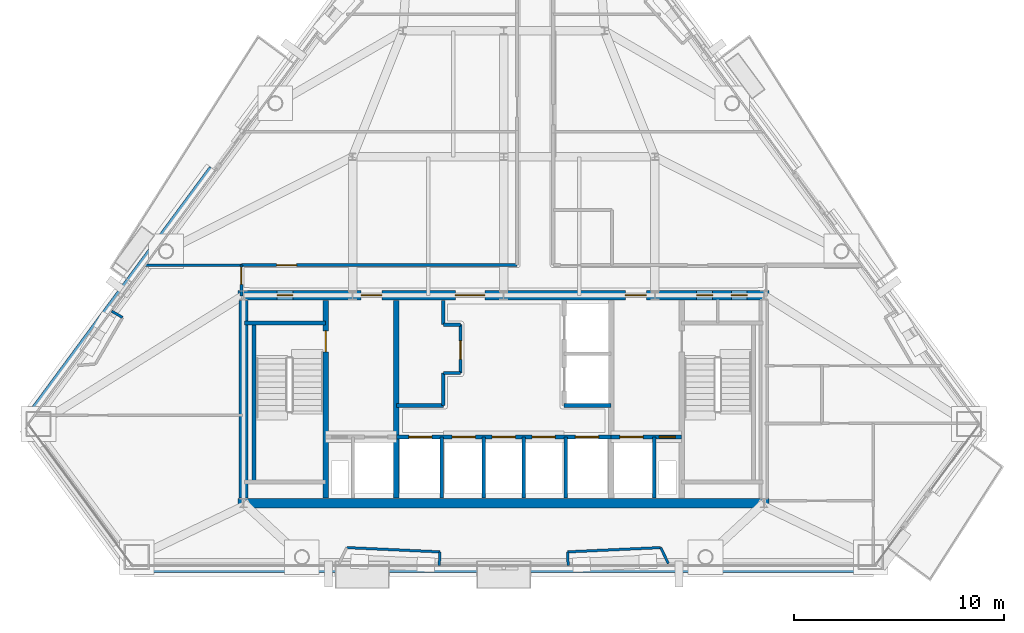
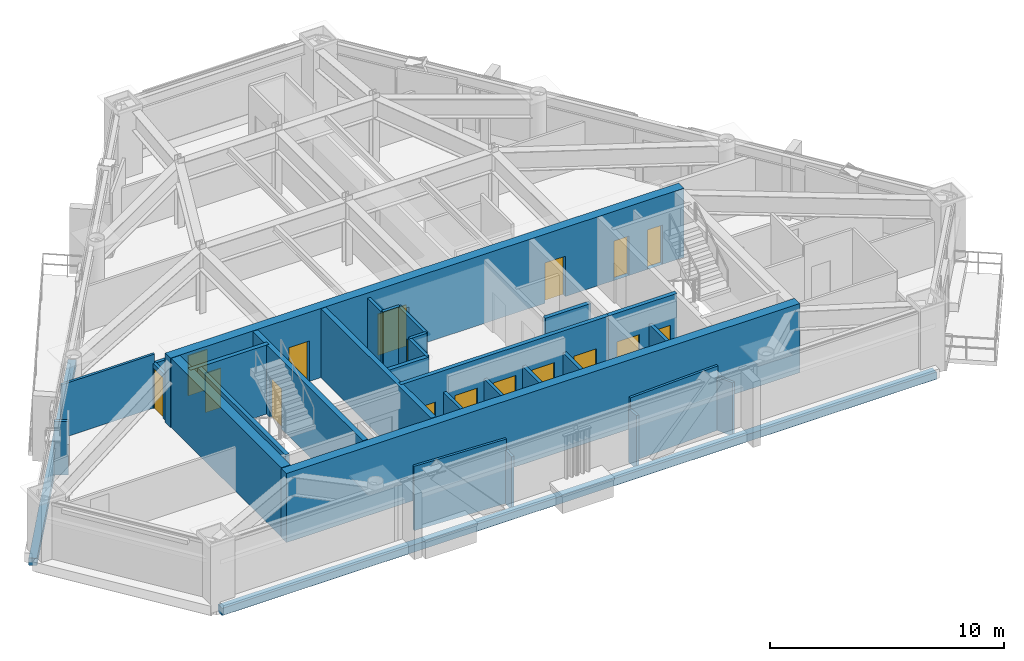
# One storey, part 7 of 11: 32 walls, 17 doors, 17 openings.
"""IFC4 building model written with IfcOpenShell, lengths in metres."""

from ifc_helpers import new_model, si_unit, direction, frame, frame_2d, origin, place, context, subcontext, project, spatial, rectangle, extrude, material, layer, layer_set, type_object, element, fill, save


model = new_model("IFC4")

# Units and contexts
model_context = context("Model", 3, precision=1e-05, world=origin(), true_north=direction((0.0, 1.0)))
body_context = subcontext(model_context, "Body", "Model", "MODEL_VIEW")
ifc_project = project(units=[si_unit("LENGTHUNIT", "METRE"), si_unit("AREAUNIT", "SQUARE_METRE"), si_unit("VOLUMEUNIT", "CUBIC_METRE"), si_unit("PLANEANGLEUNIT", "RADIAN"), si_unit("MASSUNIT", "GRAM", prefix="KILO")], contexts=[model_context])

# Site, building, storey
site_placement = place(None, origin())
site = spatial("IfcSite", under=ifc_project, at=site_placement, CompositionType="ELEMENT")
building_placement = place(site_placement, origin())
building = spatial("IfcBuilding", under=site, at=building_placement, Name="Talgorran Terracotta Tower", CompositionType="ELEMENT")
storey_placement = place(building_placement, frame((0.0, 0.0, 154.5)))
storey = spatial("IfcBuildingStorey", under=building, at=storey_placement, Name="L40", CompositionType="ELEMENT", Elevation=154.5)

# Walls
ifc_material_1 = material(Name="Concrete C50/60", Category="concrete")
ifc_layer_1 = layer(ifc_material_1, 0.199951171875, Name="WT_CORE_200")
ifc_layer_set_1 = layer_set([ifc_layer_1], Name="Concrete C50/60")
wall_type_1 = type_object("IfcWallType", Name="WT_CORE_200", PredefinedType="SOLIDWALL", material=ifc_layer_set_1)
wall_1_placement = place(storey_placement, frame((-12.35009765625, -5.52001953125, 0.0), z_axis=(0.0, 0.0, 1.0), x_axis=(1.0, 0.0, 0.0)))
element("IfcWall", 1, at=wall_1_placement, inside=storey, type_object=wall_type_1, Name="WL-L40-CW-ST1-N", PredefinedType="SOLIDWALL", context=body_context, shape_type="SweptSolid", body=[
    extrude(rectangle(XDim=3.8701171875, YDim=0.199951171875, at=frame_2d((1.93505859375, 0.0))), origin(), (0.0, 0.0, 1.0), 3.60009765625),
])
wall_2_placement = place(storey_placement, frame((-11.89990234375, -13.10009765625, 0.0), z_axis=(0.0, 0.0, 1.0), x_axis=(0.0, 1.0, 0.0)))
element("IfcWall", 2, at=wall_2_placement, inside=storey, type_object=wall_type_1, Name="WL-L40-CW-ST1-W", PredefinedType="SOLIDWALL", context=body_context, shape_type="SweptSolid", body=[
    extrude(rectangle(XDim=7.580078125, YDim=0.199951171875, at=frame_2d((3.7900390625, 0.0))), origin(), (0.0, 0.0, 1.0), 3.60009765625),
])

# Wall, openings, doors
wall_3_placement = place(storey_placement, frame((-5.1201171875, -10.949951171875, 0.0), z_axis=(0.0, 0.0, 1.0), x_axis=(1.0, 0.0, 0.0)))
wall_3 = element("IfcWall", 3, at=wall_3_placement, inside=storey, type_object=wall_type_1, Name="WL-L40-CW-H-SBC", PredefinedType="SOLIDWALL", context=body_context, shape_type="SweptSolid", body=[
    extrude(rectangle(XDim=10.240234375, YDim=0.199951171875, at=frame_2d((5.1201171875, 0.0))), origin(), (0.0, 0.0, 1.0), 3.60009765625),
])
opening_1_placement = place(wall_3_placement, frame((0.60009765625, 0.0, 0.0)))
opening_1 = element("IfcOpeningElement", 4, at=opening_1_placement, cuts=wall_3, Name="Opening LD-OB1", PredefinedType="OPENING", context=body_context, shape_type="SweptSolid", body=[
    extrude(rectangle(XDim=1.10609765625, YDim=2.10409765625, at=frame_2d((0.550048828125, 1.052001953125))), frame((0.0, 0.10986328125, 0.0), z_axis=(0.0, -1.0, 0.0), x_axis=(1.0, 0.0, 0.0)), (0.0, 0.0, 1.0), 0.219970703125),
])
opening_2_placement = place(wall_3_placement, frame((2.669921875, 0.0, 0.0)))
opening_2 = element("IfcOpeningElement", 5, at=opening_2_placement, cuts=wall_3, Name="Opening LD-PLH1", PredefinedType="OPENING", context=body_context, shape_type="SweptSolid", body=[
    extrude(rectangle(XDim=1.10609765625, YDim=2.10409765625, at=frame_2d((0.550048828125, 1.052001953125))), frame((0.0, 0.10986328125, 0.0), z_axis=(0.0, -1.0, 0.0), x_axis=(1.0, 0.0, 0.0)), (0.0, 0.0, 1.0), 0.219970703125),
])
opening_3_placement = place(wall_3_placement, frame((4.570068359375, 0.0, 0.0)))
opening_3 = element("IfcOpeningElement", 6, at=opening_3_placement, cuts=wall_3, Name="Opening LD-PLH2", PredefinedType="OPENING", context=body_context, shape_type="SweptSolid", body=[
    extrude(rectangle(XDim=1.10609765625, YDim=2.10409765625, at=frame_2d((0.550048828125, 1.052001953125))), frame((0.0, 0.10986328125, 0.0), z_axis=(0.0, -1.0, 0.0), x_axis=(1.0, 0.0, 0.0)), (0.0, 0.0, 1.0), 0.219970703125),
])
opening_4_placement = place(wall_3_placement, frame((6.469970703125, 0.0, 0.0)))
opening_4 = element("IfcOpeningElement", 7, at=opening_4_placement, cuts=wall_3, Name="Opening LD-PLH3", PredefinedType="OPENING", context=body_context, shape_type="SweptSolid", body=[
    extrude(rectangle(XDim=1.10609765625, YDim=2.10409765625, at=frame_2d((0.550048828125, 1.052001953125))), frame((0.0, 0.10986328125, 0.0), z_axis=(0.0, -1.0, 0.0), x_axis=(1.0, 0.0, 0.0)), (0.0, 0.0, 1.0), 0.219970703125),
])
opening_5_placement = place(wall_3_placement, frame((8.5400390625, 0.0, 0.0)))
opening_5 = element("IfcOpeningElement", 8, at=opening_5_placement, cuts=wall_3, Name="Opening LD-SVL1", PredefinedType="OPENING", context=body_context, shape_type="SweptSolid", body=[
    extrude(rectangle(XDim=1.10609765625, YDim=2.10409765625, at=frame_2d((0.550048828125, 1.052001953125))), frame((0.0, 0.10986328125, 0.0), z_axis=(0.0, -1.0, 0.0), x_axis=(1.0, 0.0, 0.0)), (0.0, 0.0, 1.0), 0.219970703125),
])
ifc_material_2 = material(Name="Brushed Stainless Steel Grade 304", Category="steel")
door_type_1 = type_object("IfcDoorType", Name="DT_LIFT_LD1100", OperationType="DOUBLE_DOOR_SLIDING", PredefinedType="DOOR", material=ifc_material_2)
door_1_placement = place(opening_1_placement, origin())
door_1 = element("IfcDoor", 9, at=door_1_placement, inside=storey, type_object=door_type_1, Name="L40 Lift Landing Door LD-OB1", OperationType="DOUBLE_DOOR_SLIDING", OverallHeight=2.10009765625, OverallWidth=1.10009765625, PredefinedType="DOOR", context=body_context, shape_type="SweptSolid", body=[
    extrude(rectangle(XDim=1.10009765625, YDim=2.10009765625, at=frame_2d((0.550048828125, 1.050048828125))), frame((0.0, 0.02490234375, 0.0), z_axis=(0.0, -1.0, 0.0), x_axis=(1.0, 0.0, 0.0)), (0.0, 0.0, 1.0), 0.050048828125),
])
fill(opening_1, door_1)
door_2_placement = place(opening_2_placement, origin())
door_2 = element("IfcDoor", 10, at=door_2_placement, inside=storey, type_object=door_type_1, Name="L40 Lift Landing Door LD-PLH1", OperationType="DOUBLE_DOOR_SLIDING", OverallHeight=2.10009765625, OverallWidth=1.10009765625, PredefinedType="DOOR", context=body_context, shape_type="SweptSolid", body=[
    extrude(rectangle(XDim=1.10009765625, YDim=2.10009765625, at=frame_2d((0.550048828125, 1.050048828125))), frame((0.0, 0.02490234375, 0.0), z_axis=(0.0, -1.0, 0.0), x_axis=(1.0, 0.0, 0.0)), (0.0, 0.0, 1.0), 0.050048828125),
])
fill(opening_2, door_2)
door_3_placement = place(opening_3_placement, origin())
door_3 = element("IfcDoor", 11, at=door_3_placement, inside=storey, type_object=door_type_1, Name="L40 Lift Landing Door LD-PLH2", OperationType="DOUBLE_DOOR_SLIDING", OverallHeight=2.10009765625, OverallWidth=1.10009765625, PredefinedType="DOOR", context=body_context, shape_type="SweptSolid", body=[
    extrude(rectangle(XDim=1.10009765625, YDim=2.10009765625, at=frame_2d((0.550048828125, 1.050048828125))), frame((0.0, 0.02490234375, 0.0), z_axis=(0.0, -1.0, 0.0), x_axis=(1.0, 0.0, 0.0)), (0.0, 0.0, 1.0), 0.050048828125),
])
fill(opening_3, door_3)
door_4_placement = place(opening_4_placement, origin())
door_4 = element("IfcDoor", 12, at=door_4_placement, inside=storey, type_object=door_type_1, Name="L40 Lift Landing Door LD-PLH3", OperationType="DOUBLE_DOOR_SLIDING", OverallHeight=2.10009765625, OverallWidth=1.10009765625, PredefinedType="DOOR", context=body_context, shape_type="SweptSolid", body=[
    extrude(rectangle(XDim=1.10009765625, YDim=2.10009765625, at=frame_2d((0.550048828125, 1.050048828125))), frame((0.0, 0.02490234375, 0.0), z_axis=(0.0, -1.0, 0.0), x_axis=(1.0, 0.0, 0.0)), (0.0, 0.0, 1.0), 0.050048828125),
])
fill(opening_4, door_4)
door_5_placement = place(opening_5_placement, origin())
door_5 = element("IfcDoor", 13, at=door_5_placement, inside=storey, type_object=door_type_1, Name="L40 Lift Landing Door LD-SVL1", OperationType="DOUBLE_DOOR_SLIDING", OverallHeight=2.10009765625, OverallWidth=1.10009765625, PredefinedType="DOOR", context=body_context, shape_type="SweptSolid", body=[
    extrude(rectangle(XDim=1.10009765625, YDim=2.10009765625, at=frame_2d((0.550048828125, 1.050048828125))), frame((0.0, 0.02490234375, 0.0), z_axis=(0.0, -1.0, 0.0), x_axis=(1.0, 0.0, 0.0)), (0.0, 0.0, 1.0), 0.050048828125),
])
fill(opening_5, door_5)

wall_4_placement = place(storey_placement, frame((5.1201171875, -10.949951171875, 0.0), z_axis=(0.0, 0.0, 1.0), x_axis=(1.0, 0.0, 0.0)))
wall_4 = element("IfcWall", 14, at=wall_4_placement, inside=storey, type_object=wall_type_1, Name="WL-L40-CW-H-SBE", PredefinedType="SOLIDWALL", context=body_context, shape_type="SweptSolid", body=[
    extrude(rectangle(XDim=3.35986328125, YDim=0.199951171875, at=frame_2d((1.679931640625, 0.0))), origin(), (0.0, 0.0, 1.0), 3.60009765625),
])
opening_6_placement = place(wall_4_placement, frame((0.419921875, 0.0, 0.0)))
opening_6 = element("IfcOpeningElement", 15, at=opening_6_placement, cuts=wall_4, Name="Opening LD-FFL2", PredefinedType="OPENING", context=body_context, shape_type="SweptSolid", body=[
    extrude(rectangle(XDim=1.10609765625, YDim=2.10409765625, at=frame_2d((0.550048828125, 1.052001953125))), frame((0.0, 0.10986328125, 0.0), z_axis=(0.0, -1.0, 0.0), x_axis=(1.0, 0.0, 0.0)), (0.0, 0.0, 1.0), 0.219970703125),
])
opening_7_placement = place(wall_4_placement, frame((2.300048828125, 0.0, 0.0)))
opening_7 = element("IfcOpeningElement", 16, at=opening_7_placement, cuts=wall_4, Name="Opening DR-RSE", PredefinedType="OPENING", context=body_context, shape_type="SweptSolid", body=[
    extrude(rectangle(XDim=0.756, YDim=2.054048828125, at=frame_2d((0.375, 1.027099609375))), frame((0.0, 0.10986328125, 0.0), z_axis=(0.0, -1.0, 0.0), x_axis=(1.0, 0.0, 0.0)), (0.0, 0.0, 1.0), 0.219970703125),
])
door_6_placement = place(opening_6_placement, origin())
door_6 = element("IfcDoor", 17, at=door_6_placement, inside=storey, type_object=door_type_1, Name="L40 Lift Landing Door LD-FFL2", OperationType="DOUBLE_DOOR_SLIDING", OverallHeight=2.10009765625, OverallWidth=1.10009765625, PredefinedType="DOOR", context=body_context, shape_type="SweptSolid", body=[
    extrude(rectangle(XDim=1.10009765625, YDim=2.10009765625, at=frame_2d((0.550048828125, 1.050048828125))), frame((0.0, 0.02490234375, 0.0), z_axis=(0.0, -1.0, 0.0), x_axis=(1.0, 0.0, 0.0)), (0.0, 0.0, 1.0), 0.050048828125),
])
fill(opening_6, door_6)
ifc_material_3 = material(Name="Fire-Rated Pressed Steel", Category="steel")
door_type_2 = type_object("IfcDoorType", Name="DT_RISER_750", OperationType="NOTDEFINED", PredefinedType="DOOR", material=ifc_material_3)
door_7_placement = place(opening_7_placement, origin())
door_7 = element("IfcDoor", 18, at=door_7_placement, inside=storey, type_object=door_type_2, Name="DR-RSE", OperationType="SINGLE_SWING_RIGHT", OverallHeight=2.050048828125, OverallWidth=0.75, PredefinedType="DOOR", context=body_context, shape_type="SweptSolid", body=[
    extrude(rectangle(XDim=0.75, YDim=2.050048828125, at=frame_2d((0.375, 1.02490234375))), frame((0.0, 0.02490234375, 0.0), z_axis=(0.0, -1.0, 0.0), x_axis=(1.0, 0.0, 0.0)), (0.0, 0.0, 1.0), 0.050048828125),
])
fill(opening_7, door_7)

# Walls
for number, where, z_axis, x_axis, name in (
    (19, (-5.1201171875, -9.449951171875, 0.0), (0.0, 0.0, 1.0), (1.0, 0.0, 0.0), "WL-L40-CW-H-W4"),
    (20, (2.8798828125, -9.449951171875, 0.0), (0.0, 0.0, 1.0), (1.0, 0.0, 0.0), "WL-L40-CW-H-E4"),
):
    element("IfcWall", number, at=place(storey_placement, frame(where, z_axis=z_axis, x_axis=x_axis)), inside=storey, type_object=wall_type_1, Name=name, PredefinedType="SOLIDWALL", context=body_context, shape_type="SweptSolid", body=[
        extrude(rectangle(XDim=2.240234375, YDim=0.199951171875, at=frame_2d((1.1201171875, 0.0))), origin(), (0.0, 0.0, 1.0), 3.35009765625),
    ])

# Wall, opening, door
ifc_layer_2 = layer(ifc_material_1, 0.25, Name="WT_CORE_250")
ifc_layer_set_2 = layer_set([ifc_layer_2], Name="Concrete C50/60")
wall_type_2 = type_object("IfcWallType", Name="WT_CORE_250", PredefinedType="SHEAR", material=ifc_layer_set_2)
wall_5_placement = place(storey_placement, frame((-8.47998046875, -13.85009765625, 0.0), z_axis=(0.0, 0.0, 1.0), x_axis=(0.0, 1.0, 0.0)))
wall_5 = element("IfcWall", 21, at=wall_5_placement, inside=storey, type_object=wall_type_2, Name="WL-L40-CW-V-W1", PredefinedType="SHEAR", context=body_context, shape_type="SweptSolid", body=[
    extrude(rectangle(XDim=9.400146484375, YDim=0.25, at=frame_2d((4.7001953125, 0.0))), origin(), (0.0, 0.0, 1.0), 3.60009765625),
])
opening_8_placement = place(wall_5_placement, frame((6.949951171875, 0.0, 0.0)))
opening_8 = element("IfcOpeningElement", 22, at=opening_8_placement, cuts=wall_5, Name="Opening DR-ST01", PredefinedType="OPENING", context=body_context, shape_type="SweptSolid", body=[
    extrude(rectangle(XDim=1.006, YDim=2.10409765625, at=frame_2d((0.5, 1.052001953125))), frame((0.0, 0.135009765625, 0.0), z_axis=(0.0, -1.0, 0.0), x_axis=(1.0, 0.0, 0.0)), (0.0, 0.0, 1.0), 0.27001953125),
])
door_type_3 = type_object("IfcDoorType", Name="DT_FIRE_1000", OperationType="NOTDEFINED", PredefinedType="DOOR", material=ifc_material_3)
door_8_placement = place(opening_8_placement, origin())
door_8 = element("IfcDoor", 23, at=door_8_placement, inside=storey, type_object=door_type_3, Name="DR-ST01", OperationType="SINGLE_SWING_LEFT", OverallHeight=2.10009765625, OverallWidth=1.0, PredefinedType="DOOR", context=body_context, shape_type="SweptSolid", body=[
    extrude(rectangle(XDim=1.0, YDim=2.10009765625, at=frame_2d((0.5, 1.050048828125))), frame((0.0, 0.02490234375, 0.0), z_axis=(0.0, -1.0, 0.0), x_axis=(1.0, 0.0, 0.0)), (0.0, 0.0, 1.0), 0.050048828125),
])
fill(opening_8, door_8)

# Walls
wall_6_placement = place(storey_placement, frame((-5.1201171875, -13.85009765625, 0.0), z_axis=(0.0, 0.0, 1.0), x_axis=(0.0, 1.0, 0.0)))
element("IfcWall", 24, at=wall_6_placement, inside=storey, type_object=wall_type_2, Name="WL-L40-CW-V-W2", PredefinedType="SHEAR", context=body_context, shape_type="SweptSolid", body=[
    extrude(rectangle(XDim=9.400146484375, YDim=0.25, at=frame_2d((4.7001953125, 0.0))), origin(), (0.0, 0.0, 1.0), 3.60009765625),
])
ifc_material_4 = material(Name="Concrete C65/80", Category="concrete")
ifc_layer_3 = layer(ifc_material_4, 0.449951171875, Name="WT_CORE_EXT")
ifc_layer_set_3 = layer_set([ifc_layer_3], Name="Concrete C65/80")
wall_type_3 = type_object("IfcWallType", Name="WT_CORE_EXT", PredefinedType="SHEAR", material=ifc_layer_set_3)
wall_7_placement = place(storey_placement, frame((-12.64990234375, -14.10009765625, 0.0), z_axis=(0.0, 0.0, 1.0), x_axis=(1.0, 0.0, 0.0)))
element("IfcWall", 25, at=wall_7_placement, inside=storey, type_object=wall_type_3, Name="WL-L40-CW-OUT-S", PredefinedType="SHEAR", context=body_context, shape_type="SweptSolid", body=[
    extrude(rectangle(XDim=25.2998046875, YDim=0.449951171875, at=frame_2d((12.64990234375, 0.0))), origin(), (0.0, 0.0, 1.0), 3.60009765625),
])

# Wall, openings, doors
wall_8_placement = place(storey_placement, frame((-12.64990234375, -4.199951171875, 0.0), z_axis=(0.0, 0.0, 1.0), x_axis=(1.0, 0.0, 0.0)))
wall_8 = element("IfcWall", 26, at=wall_8_placement, inside=storey, type_object=wall_type_3, Name="WL-L40-CW-OUT-N", PredefinedType="SHEAR", context=body_context, shape_type="SweptSolid", body=[
    extrude(rectangle(XDim=25.2998046875, YDim=0.449951171875, at=frame_2d((12.64990234375, 0.0))), origin(), (0.0, 0.0, 1.0), 3.60009765625),
])
opening_9_placement = place(wall_8_placement, frame((1.85009765625, 0.0, 0.0)))
opening_9 = element("IfcOpeningElement", 27, at=opening_9_placement, cuts=wall_8, Name="Opening DR-CSN1", PredefinedType="OPENING", context=body_context, shape_type="SweptSolid", body=[
    extrude(rectangle(XDim=0.756, YDim=2.054048828125, at=frame_2d((0.375, 1.027099609375))), frame((0.0, 0.23486328125, 0.0), z_axis=(0.0, -1.0, 0.0), x_axis=(1.0, 0.0, 0.0)), (0.0, 0.0, 1.0), 0.469970703125),
])
opening_10_placement = place(wall_8_placement, frame((21.85009765625, 0.0, 0.0)))
opening_10 = element("IfcOpeningElement", 28, at=opening_10_placement, cuts=wall_8, Name="Opening DR-CSN2", PredefinedType="OPENING", context=body_context, shape_type="SweptSolid", body=[
    extrude(rectangle(XDim=0.756, YDim=2.054048828125, at=frame_2d((0.375, 1.027099609375))), frame((0.0, 0.23486328125, 0.0), z_axis=(0.0, -1.0, 0.0), x_axis=(1.0, 0.0, 0.0)), (0.0, 0.0, 1.0), 0.469970703125),
])
opening_11_placement = place(wall_8_placement, frame((23.5, 0.0, 0.0)))
opening_11 = element("IfcOpeningElement", 29, at=opening_11_placement, cuts=wall_8, Name="Opening DR-CSN3", PredefinedType="OPENING", context=body_context, shape_type="SweptSolid", body=[
    extrude(rectangle(XDim=0.756, YDim=2.054048828125, at=frame_2d((0.375, 1.027099609375))), frame((0.0, 0.23486328125, 0.0), z_axis=(0.0, -1.0, 0.0), x_axis=(1.0, 0.0, 0.0)), (0.0, 0.0, 1.0), 0.469970703125),
])
opening_12_placement = place(wall_8_placement, frame((5.85009765625, 0.0, 0.0)))
opening_12 = element("IfcOpeningElement", 30, at=opening_12_placement, cuts=wall_8, Name="Opening DR-FFLW-N", PredefinedType="OPENING", context=body_context, shape_type="SweptSolid", body=[
    extrude(rectangle(XDim=1.006, YDim=2.10409765625, at=frame_2d((0.5, 1.052001953125))), frame((0.0, 0.23486328125, 0.0), z_axis=(0.0, -1.0, 0.0), x_axis=(1.0, 0.0, 0.0)), (0.0, 0.0, 1.0), 0.469970703125),
])
opening_13_placement = place(wall_8_placement, frame((10.35009765625, 0.0, 0.0)))
opening_13 = element("IfcOpeningElement", 31, at=opening_13_placement, cuts=wall_8, Name="Opening DR-PLL-N", PredefinedType="OPENING", context=body_context, shape_type="SweptSolid", body=[
    extrude(rectangle(XDim=1.40590234375, YDim=2.15390234375, at=frame_2d((0.699951171875, 1.076904296875))), frame((0.0, 0.23486328125, 0.0), z_axis=(0.0, -1.0, 0.0), x_axis=(1.0, 0.0, 0.0)), (0.0, 0.0, 1.0), 0.469970703125),
])
opening_14_placement = place(wall_8_placement, frame((18.449951171875, 0.0, 0.0)))
opening_14 = element("IfcOpeningElement", 32, at=opening_14_placement, cuts=wall_8, Name="Opening DR-FFLE-N", PredefinedType="OPENING", context=body_context, shape_type="SweptSolid", body=[
    extrude(rectangle(XDim=1.006, YDim=2.10409765625, at=frame_2d((0.5, 1.052001953125))), frame((0.0, 0.23486328125, 0.0), z_axis=(0.0, -1.0, 0.0), x_axis=(1.0, 0.0, 0.0)), (0.0, 0.0, 1.0), 0.469970703125),
])
ifc_material_5 = material(Name="Acoustic Glazed Timber", Category="wood")
door_type_4 = type_object("IfcDoorType", Name="DT_DOUBLE_1400", OperationType="DOUBLE_DOOR_SINGLE_SWING", PredefinedType="DOOR", material=ifc_material_5)
door_9_placement = place(opening_13_placement, origin())
door_9 = element("IfcDoor", 33, at=door_9_placement, inside=storey, type_object=door_type_4, Name="DR-PLL-N", OperationType="DOUBLE_DOOR_SINGLE_SWING", OverallHeight=2.14990234375, OverallWidth=1.39990234375, PredefinedType="DOOR", context=body_context, shape_type="SweptSolid", body=[
    extrude(rectangle(XDim=1.39990234375, YDim=2.14990234375, at=frame_2d((0.699951171875, 1.074951171875))), frame((0.0, 0.02490234375, 0.0), z_axis=(0.0, -1.0, 0.0), x_axis=(1.0, 0.0, 0.0)), (0.0, 0.0, 1.0), 0.050048828125),
])
fill(opening_13, door_9)
door_10_placement = place(opening_12_placement, origin())
door_10 = element("IfcDoor", 34, at=door_10_placement, inside=storey, type_object=door_type_3, Name="DR-FFLW-N", OperationType="SINGLE_SWING_LEFT", OverallHeight=2.10009765625, OverallWidth=1.0, PredefinedType="DOOR", context=body_context, shape_type="SweptSolid", body=[
    extrude(rectangle(XDim=1.0, YDim=2.10009765625, at=frame_2d((0.5, 1.050048828125))), frame((0.0, 0.02490234375, 0.0), z_axis=(0.0, -1.0, 0.0), x_axis=(1.0, 0.0, 0.0)), (0.0, 0.0, 1.0), 0.050048828125),
])
fill(opening_12, door_10)
door_11_placement = place(opening_14_placement, origin())
door_11 = element("IfcDoor", 35, at=door_11_placement, inside=storey, type_object=door_type_3, Name="DR-FFLE-N", OperationType="SINGLE_SWING_RIGHT", OverallHeight=2.10009765625, OverallWidth=1.0, PredefinedType="DOOR", context=body_context, shape_type="SweptSolid", body=[
    extrude(rectangle(XDim=1.0, YDim=2.10009765625, at=frame_2d((0.5, 1.050048828125))), frame((0.0, 0.02490234375, 0.0), z_axis=(0.0, -1.0, 0.0), x_axis=(1.0, 0.0, 0.0)), (0.0, 0.0, 1.0), 0.050048828125),
])
fill(opening_14, door_11)
door_12_placement = place(opening_9_placement, origin())
door_12 = element("IfcDoor", 36, at=door_12_placement, inside=storey, type_object=door_type_2, Name="DR-CSN1", OperationType="SINGLE_SWING_LEFT", OverallHeight=2.050048828125, OverallWidth=0.75, PredefinedType="DOOR", context=body_context, shape_type="SweptSolid", body=[
    extrude(rectangle(XDim=0.75, YDim=2.050048828125, at=frame_2d((0.375, 1.02490234375))), frame((0.0, 0.02490234375, 0.0), z_axis=(0.0, -1.0, 0.0), x_axis=(1.0, 0.0, 0.0)), (0.0, 0.0, 1.0), 0.050048828125),
])
fill(opening_9, door_12)
door_13_placement = place(opening_10_placement, origin())
door_13 = element("IfcDoor", 37, at=door_13_placement, inside=storey, type_object=door_type_2, Name="DR-CSN2", OperationType="SINGLE_SWING_LEFT", OverallHeight=2.050048828125, OverallWidth=0.75, PredefinedType="DOOR", context=body_context, shape_type="SweptSolid", body=[
    extrude(rectangle(XDim=0.75, YDim=2.050048828125, at=frame_2d((0.375, 1.02490234375))), frame((0.0, 0.02490234375, 0.0), z_axis=(0.0, -1.0, 0.0), x_axis=(1.0, 0.0, 0.0)), (0.0, 0.0, 1.0), 0.050048828125),
])
fill(opening_10, door_13)
door_14_placement = place(opening_11_placement, origin())
door_14 = element("IfcDoor", 38, at=door_14_placement, inside=storey, type_object=door_type_2, Name="DR-CSN3", OperationType="SINGLE_SWING_RIGHT", OverallHeight=2.050048828125, OverallWidth=0.75, PredefinedType="DOOR", context=body_context, shape_type="SweptSolid", body=[
    extrude(rectangle(XDim=0.75, YDim=2.050048828125, at=frame_2d((0.375, 1.02490234375))), frame((0.0, 0.02490234375, 0.0), z_axis=(0.0, -1.0, 0.0), x_axis=(1.0, 0.0, 0.0)), (0.0, 0.0, 1.0), 0.050048828125),
])
fill(opening_11, door_14)

# Walls
wall_9_placement = place(storey_placement, frame((-12.39990234375, -13.85009765625, 0.0), z_axis=(0.0, 0.0, 1.0), x_axis=(0.0, 1.0, 0.0)))
element("IfcWall", 39, at=wall_9_placement, inside=storey, type_object=wall_type_3, Name="WL-L40-CW-OUT-W", PredefinedType="SHEAR", context=body_context, shape_type="SweptSolid", body=[
    extrude(rectangle(XDim=9.400146484375, YDim=0.449951171875, at=frame_2d((4.7001953125, 0.0))), origin(), (0.0, 0.0, 1.0), 3.60009765625),
])
ifc_material_6 = material(Name="Fire-Rated Steel Stud Plasterboard", Category="steel")
ifc_layer_4 = layer(ifc_material_6, 0.14990234375, Name="WT_FIRE_150")
ifc_layer_set_4 = layer_set([ifc_layer_4], Name="Fire-Rated Steel Stud Plasterboard")
wall_type_4 = type_object("IfcWallType", Name="WT_FIRE_150", PredefinedType="PARTITIONING", material=ifc_layer_set_4)
wall_10_placement = place(storey_placement, frame((-2.8798828125, -9.449951171875, 0.0), z_axis=(0.0, 0.0, 1.0), x_axis=(0.0, 1.0, 0.0)))
element("IfcWall", 40, at=wall_10_placement, inside=storey, type_object=wall_type_4, Name="WL-L40-CW-V-W3A", PredefinedType="PARTITIONING", context=body_context, shape_type="SweptSolid", body=[
    extrude(rectangle(XDim=1.550048828125, YDim=0.14990234375, at=frame_2d((0.77490234375, 0.0))), origin(), (0.0, 0.0, 1.0), 3.35009765625),
])
wall_11_placement = place(storey_placement, frame((-2.8798828125, -7.89990234375, 0.0), z_axis=(0.0, 0.0, 1.0), x_axis=(1.0, 0.0, 0.0)))
element("IfcWall", 41, at=wall_11_placement, inside=storey, type_object=wall_type_4, Name="WL-L40-CW-H-W3B", PredefinedType="PARTITIONING", context=body_context, shape_type="SweptSolid", body=[
    extrude(rectangle(XDim=0.81982421875, YDim=0.14990234375, at=frame_2d((0.409912109375, 0.0))), origin(), (0.0, 0.0, 1.0), 3.35009765625),
])

# Wall, opening, door
wall_12_placement = place(storey_placement, frame((-2.06005859375, -7.89990234375, 0.0), z_axis=(0.0, 0.0, 1.0), x_axis=(0.0, 1.0, 0.0)))
wall_12 = element("IfcWall", 42, at=wall_12_placement, inside=storey, type_object=wall_type_4, Name="WL-L40-CW-V-W3C", PredefinedType="PARTITIONING", context=body_context, shape_type="SweptSolid", body=[
    extrude(rectangle(XDim=2.2998046875, YDim=0.14990234375, at=frame_2d((1.14990234375, 0.0))), origin(), (0.0, 0.0, 1.0), 3.35009765625),
])
opening_15_placement = place(wall_12_placement, frame((0.64990234375, 0.0, 0.0)))
opening_15 = element("IfcOpeningElement", 43, at=opening_15_placement, cuts=wall_12, Name="Opening DR-FRPLL-B", PredefinedType="OPENING", context=body_context, shape_type="SweptSolid", body=[
    extrude(rectangle(XDim=0.8858828125, YDim=2.10409765625, at=frame_2d((0.43994140625, 1.052001953125))), frame((0.0, 0.0849609375, 0.0), z_axis=(0.0, -1.0, 0.0), x_axis=(1.0, 0.0, 0.0)), (0.0, 0.0, 1.0), 0.169921875),
])
ifc_material_7 = material(Name="Solid-Core Painted Timber", Category="wood")
door_type_5 = type_object("IfcDoorType", Name="DT_INT_880", OperationType="NOTDEFINED", PredefinedType="DOOR", material=ifc_material_7)
door_15_placement = place(opening_15_placement, origin())
door_15 = element("IfcDoor", 44, at=door_15_placement, inside=storey, type_object=door_type_5, Name="DR-FRPLL-B", OperationType="SINGLE_SWING_LEFT", OverallHeight=2.10009765625, OverallWidth=0.8798828125, PredefinedType="DOOR", context=body_context, shape_type="SweptSolid", body=[
    extrude(rectangle(XDim=0.8798828125, YDim=2.10009765625, at=frame_2d((0.43994140625, 1.050048828125))), frame((0.0, 0.02490234375, 0.0), z_axis=(0.0, -1.0, 0.0), x_axis=(1.0, 0.0, 0.0)), (0.0, 0.0, 1.0), 0.050048828125),
])
fill(opening_15, door_15)

# Walls
wall_13_placement = place(storey_placement, frame((-2.8798828125, -5.60009765625, 0.0), z_axis=(0.0, 0.0, 1.0), x_axis=(1.0, 0.0, 0.0)))
element("IfcWall", 45, at=wall_13_placement, inside=storey, type_object=wall_type_4, Name="WL-L40-CW-H-W3D", PredefinedType="PARTITIONING", context=body_context, shape_type="SweptSolid", body=[
    extrude(rectangle(XDim=0.81982421875, YDim=0.14990234375, at=frame_2d((0.409912109375, 0.0))), origin(), (0.0, 0.0, 1.0), 3.35009765625),
])
wall_14_placement = place(storey_placement, frame((-2.8798828125, -5.60009765625, 0.0), z_axis=(0.0, 0.0, 1.0), x_axis=(0.0, 1.0, 0.0)))
element("IfcWall", 46, at=wall_14_placement, inside=storey, type_object=wall_type_4, Name="WL-L40-CW-V-W3E", PredefinedType="PARTITIONING", context=body_context, shape_type="SweptSolid", body=[
    extrude(rectangle(XDim=1.150146484375, YDim=0.14990234375, at=frame_2d((0.5751953125, 0.0))), origin(), (0.0, 0.0, 1.0), 3.35009765625),
])

# Wall, opening, door
wall_15_placement = place(storey_placement, frame((-12.5, -2.760009765625, 0.0), z_axis=(0.0, 0.0, 1.0), x_axis=(1.0, 0.0, 0.0)))
wall_15 = element("IfcWall", 47, at=wall_15_placement, inside=storey, type_object=wall_type_4, Name="WL-L40-W-L40-R12", PredefinedType="PARTITIONING", context=body_context, shape_type="SweptSolid", body=[
    extrude(rectangle(XDim=13.139892578125, YDim=0.14990234375, at=frame_2d((6.56982421875, 0.0))), origin(), (0.0, 0.0, 1.0), 2.324951171875),
])
opening_16_placement = place(wall_15_placement, frame((1.6787109375, 0.0, 0.0)))
opening_16 = element("IfcOpeningElement", 48, at=opening_16_placement, cuts=wall_15, Name="Opening DR-L40-R13", PredefinedType="OPENING", context=body_context, shape_type="SweptSolid", body=[
    extrude(rectangle(XDim=0.955951171875, YDim=2.10409765625, at=frame_2d((0.47509765625, 1.052001953125))), frame((0.0, 0.0849609375, 0.0), z_axis=(0.0, -1.0, 0.0), x_axis=(1.0, 0.0, 0.0)), (0.0, 0.0, 1.0), 0.169921875),
])
ifc_material_8 = material(Name="Fire-Rated Timber Core", Category="wood")
door_type_6 = type_object("IfcDoorType", Name="DT_FIRE_950", OperationType="NOTDEFINED", PredefinedType="DOOR", material=ifc_material_8)
door_16_placement = place(opening_16_placement, origin())
door_16 = element("IfcDoor", 49, at=door_16_placement, inside=storey, type_object=door_type_6, Name="DR-L40-R13", OperationType="SINGLE_SWING_LEFT", OverallHeight=2.10009765625, OverallWidth=0.949951171875, PredefinedType="DOOR", context=body_context, shape_type="SweptSolid", body=[
    extrude(rectangle(XDim=0.949951171875, YDim=2.10009765625, at=frame_2d((0.47509765625, 1.050048828125))), frame((0.0, 0.02490234375, 0.0), z_axis=(0.0, -1.0, 0.0), x_axis=(1.0, 0.0, 0.0)), (0.0, 0.0, 1.0), 0.050048828125),
])
fill(opening_16, door_16)

wall_16_placement = place(storey_placement, frame((-12.5, -4.239990234375, 0.0), z_axis=(0.0, 0.0, 1.0), x_axis=(0.0, 1.0, 0.0)))
wall_16 = element("IfcWall", 50, at=wall_16_placement, inside=storey, type_object=wall_type_4, Name="WL-L40-W-L40-R11", PredefinedType="PARTITIONING", context=body_context, shape_type="SweptSolid", body=[
    extrude(rectangle(XDim=1.47998046875, YDim=0.14990234375, at=frame_2d((0.739990234375, 0.0))), origin(), (0.0, 0.0, 1.0), 2.324951171875),
])
opening_17_placement = place(wall_16_placement, frame((0.56005859375, 0.0, 0.0)))
opening_17 = element("IfcOpeningElement", 51, at=opening_17_placement, cuts=wall_16, Name="Opening DR-L40-R12", PredefinedType="OPENING", context=body_context, shape_type="SweptSolid", body=[
    extrude(rectangle(XDim=0.826068359375, YDim=2.10409765625, at=frame_2d((0.41015625, 1.052001953125))), frame((0.0, 0.0849609375, 0.0), z_axis=(0.0, -1.0, 0.0), x_axis=(1.0, 0.0, 0.0)), (0.0, 0.0, 1.0), 0.169921875),
])
ifc_material_9 = material(Name="Moisture-Resistant Solid Timber", Category="wood")
door_type_7 = type_object("IfcDoorType", Name="DT_INT_820", OperationType="NOTDEFINED", PredefinedType="DOOR", material=ifc_material_9)
door_17_placement = place(opening_17_placement, origin())
door_17 = element("IfcDoor", 52, at=door_17_placement, inside=storey, type_object=door_type_7, Name="DR-L40-R12", OperationType="SINGLE_SWING_RIGHT", OverallHeight=2.10009765625, OverallWidth=0.820068359375, PredefinedType="DOOR", context=body_context, shape_type="SweptSolid", body=[
    extrude(rectangle(XDim=0.820068359375, YDim=2.10009765625, at=frame_2d((0.41015625, 1.050048828125))), frame((0.0, 0.02490234375, 0.0), z_axis=(0.0, -1.0, 0.0), x_axis=(1.0, 0.0, 0.0)), (0.0, 0.0, 1.0), 0.050048828125),
])
fill(opening_17, door_17)

# Walls
ifc_material_10 = material(Name="Concrete C40/50", Category="concrete")
ifc_layer_5 = layer(ifc_material_10, 0.219970703125, Name="WT_PARAPET_RC")
ifc_layer_set_5 = layer_set([ifc_layer_5], Name="Concrete C40/50")
wall_type_5 = type_object("IfcWallType", Name="WT_PARAPET_RC", PredefinedType="PARAPET", material=ifc_layer_set_5)
wall_17_placement = place(storey_placement, frame((-17.60546875, -17.234375, -0.199951171875), z_axis=(0.0, 0.0, 1.0), x_axis=(1.0, 0.0, 0.0)))
element("IfcWall", 53, at=wall_17_placement, inside=storey, type_object=wall_type_5, Name="L40 Striped Portal Precast Cornice F1", PredefinedType="PARAPET", context=body_context, shape_type="SweptSolid", body=[
    extrude(rectangle(XDim=35.2109375, YDim=0.360107421875, at=frame_2d((17.60546875, 0.0))), origin(), (0.0, 0.0, 1.0), 0.3798828125),
])
wall_18_placement = place(storey_placement, frame((-13.8828125, 1.830078125, -0.199951171875), z_axis=(0.0, 0.0, 1.0), x_axis=(-0.594082392526, -0.804404196216, 0.0)))
element("IfcWall", 54, at=wall_18_placement, inside=storey, type_object=wall_type_5, Name="L40 Striped Portal Precast Cornice F61", PredefinedType="PARAPET", context=body_context, shape_type="SweptSolid", body=[
    extrude(rectangle(XDim=14.880126953125, YDim=0.360107421875, at=frame_2d((7.43994140625, 0.0))), origin(), (0.0, 0.0, 1.0), 0.3798828125),
])
ifc_material_11 = material(Name="Insulated Steel Stud Plasterboard", Category="steel")
ifc_layer_6 = layer(ifc_material_11, 0.1201171875, Name="WT_PART_120")
ifc_layer_set_6 = layer_set([ifc_layer_6], Name="Insulated Steel Stud Plasterboard")
wall_type_6 = type_object("IfcWallType", Name="WT_PART_120", PredefinedType="PARTITIONING", material=ifc_layer_set_6)
wall_19_placement = place(storey_placement, frame((-17.073974609375, -2.760009765625, 0.0), z_axis=(0.0, 0.0, 1.0), x_axis=(1.0, 0.0, 0.0)))
element("IfcWall", 55, at=wall_19_placement, inside=storey, type_object=wall_type_6, Name="WL-L40-W-L40-R32", PredefinedType="PARTITIONING", context=body_context, shape_type="SweptSolid", body=[
    extrude(rectangle(XDim=4.573974609375, YDim=0.1201171875, at=frame_2d((2.287109375, 0.0))), origin(), (0.0, 0.0, 1.0), 2.7919921875),
])
for number, where, z_axis, x_axis, name in (
    (56, (-7.48046875, -16.221435546875, 0.0), (0.0, 0.0, 1.0), (0.998957295376, -0.045654375651, 0.0), "WL-L40-BW-L40-02"),
    (57, (3.041259765625, -16.42431640625, 0.0), (0.0, 0.0, 1.0), (0.998957295376, 0.045654375651, 0.0), "WL-L40-BW-L40-06"),
):
    element("IfcWall", number, at=place(storey_placement, frame(where, z_axis=z_axis, x_axis=x_axis)), inside=storey, type_object=wall_type_6, Name=name, PredefinedType="PARTITIONING", context=body_context, shape_type="SweptSolid", body=[
        extrude(rectangle(XDim=4.44384765625, YDim=0.1201171875, at=frame_2d((2.221923828125, 0.0))), origin(), (0.0, 0.0, 1.0), 3.35009765625),
    ])
wall_20_placement = place(storey_placement, frame((7.48046875, -16.221435546875, 0.0), z_axis=(0.0, 0.0, 1.0), x_axis=(0.432721607122, -0.901527598429, 0.0)))
element("IfcWall", 58, at=wall_20_placement, inside=storey, type_object=wall_type_6, Name="WL-L40-BW-L40-04", PredefinedType="PARTITIONING", context=body_context, shape_type="SweptSolid", body=[
    extrude(rectangle(XDim=0.8388671875, YDim=0.1201171875, at=frame_2d((0.41943359375, 0.0))), origin(), (0.0, 0.0, 1.0), 2.7919921875),
])
for number, where, z_axis, x_axis, name in (
    (59, (-3.041259765625, -16.42431640625, 0.0), (0.0, 0.0, 1.0), (-0.045338531627, -0.998971680054, 0.0), "WL-L40-BW-L40-03"),
    (60, (3.0703125, -17.064453125, 0.0), (0.0, 0.0, 1.0), (-0.045338531627, 0.998971680054, 0.0), "WL-L40-BW-L40-05"),
):
    element("IfcWall", number, at=place(storey_placement, frame(where, z_axis=z_axis, x_axis=x_axis)), inside=storey, type_object=wall_type_6, Name=name, PredefinedType="PARTITIONING", context=body_context, shape_type="SweptSolid", body=[
        extrude(rectangle(XDim=0.640869140625, YDim=0.1201171875, at=frame_2d((0.3203125, 0.0))), origin(), (0.0, 0.0, 1.0), 2.7919921875),
    ])
wall_21_placement = place(storey_placement, frame((-18.680908203125, -4.952880859375, 0.0), z_axis=(0.0, 0.0, 1.0), x_axis=(0.863277740544, -0.504729177561, 0.0)))
element("IfcWall", 61, at=wall_21_placement, inside=storey, type_object=wall_type_6, Name="WL-L40-BW-L40-07", PredefinedType="PARTITIONING", context=body_context, shape_type="SweptSolid", body=[
    extrude(rectangle(XDim=0.601318359375, YDim=0.1201171875, at=frame_2d((0.30078125, 0.0))), origin(), (0.0, 0.0, 1.0), 2.7919921875),
])
ifc_material_12 = material(Name="Fire-Rated Shaftwall")
ifc_layer_7 = layer(ifc_material_12, 0.159912109375, Name="WT_PART_150")
ifc_layer_set_7 = layer_set([ifc_layer_7], Name="Fire-Rated Shaftwall")
wall_type_7 = type_object("IfcWallType", Name="WT_PART_150", PredefinedType="PARTITIONING", material=ifc_layer_set_7)
for number, where, z_axis, x_axis, name in (
    (62, (7.179931640625, -13.85009765625, 0.0), (0.0, 0.0, 1.0), (0.0, 1.0, 0.0), "WL-L40-CW-RSE"),
    (63, (-2.949951171875, -13.85009765625, 0.0), (0.0, 0.0, 1.0), (0.0, 1.0, 0.0), "WL-L40-CW-OB-E"),
    (64, (2.949951171875, -13.85009765625, 0.0), (0.0, 0.0, 1.0), (0.0, 1.0, 0.0), "WL-L40-CW-SV-W"),
    (65, (-0.949951171875, -13.85009765625, 0.0), (0.0, 0.0, 1.0), (0.0, 1.0, 0.0), "WL-L40-CW-PLH-D1"),
    (66, (0.949951171875, -13.85009765625, 0.0), (0.0, 0.0, 1.0), (0.0, 1.0, 0.0), "WL-L40-CW-PLH-D2"),
):
    element("IfcWall", number, at=place(storey_placement, frame(where, z_axis=z_axis, x_axis=x_axis)), inside=storey, type_object=wall_type_7, Name=name, PredefinedType="PARTITIONING", context=body_context, shape_type="SweptSolid", body=[
        extrude(rectangle(XDim=2.900146484375, YDim=0.159912109375, at=frame_2d((1.4501953125, 0.0))), origin(), (0.0, 0.0, 1.0), 2.47509765625),
    ])

save(model, "model.ifc")
